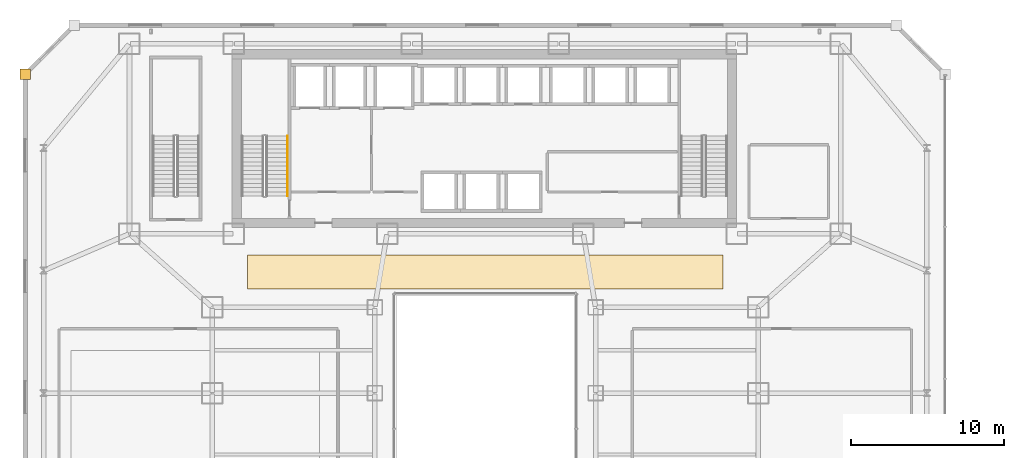
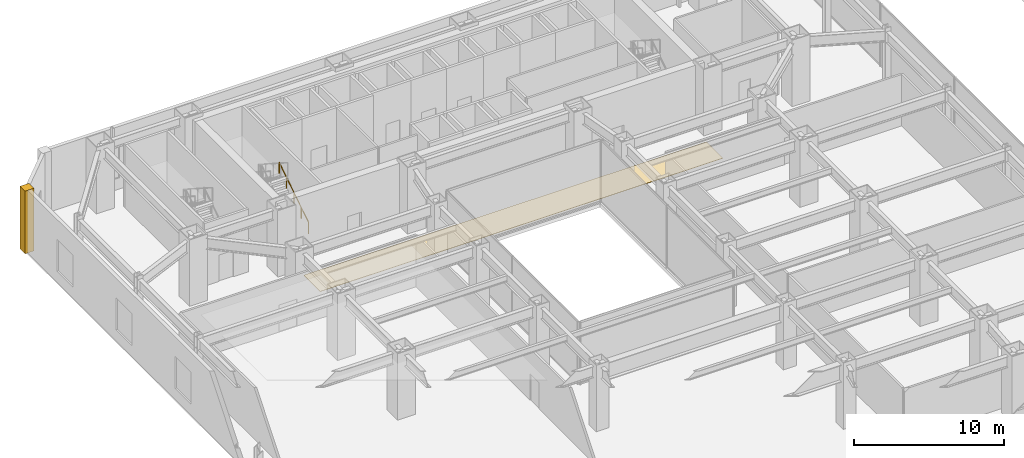
# One storey, part 46 of 51: 2 coverings, 1 railing.
"""IFC4 building model written with IfcOpenShell, lengths in metres."""

from ifc_helpers import new_model, si_unit, direction, frame, origin, origin_2d, place, context, subcontext, project, spatial, polyline, circle, outline, extrude, material, layer, layer_set, type_object, element, save


model = new_model("IFC4")

# Units and contexts
model_context = context("Model", 3, precision=1e-05, world=origin(), true_north=direction((0.0, 1.0)))
body_context = subcontext(model_context, "Body", "Model", "MODEL_VIEW")
ifc_project = project(units=[si_unit("LENGTHUNIT", "METRE"), si_unit("AREAUNIT", "SQUARE_METRE"), si_unit("VOLUMEUNIT", "CUBIC_METRE"), si_unit("PLANEANGLEUNIT", "RADIAN"), si_unit("MASSUNIT", "GRAM", prefix="KILO")], contexts=[model_context])

# Site, building, storey
site_placement = place(None, origin())
site = spatial("IfcSite", under=ifc_project, at=site_placement, CompositionType="ELEMENT")
building_placement = place(site_placement, origin())
building = spatial("IfcBuilding", under=site, at=building_placement, Name="Saevonmaru Cultural Tower", CompositionType="ELEMENT")
storey_placement = place(building_placement, frame((0.0, 0.0, 6.0)))
storey = spatial("IfcBuildingStorey", under=building, at=storey_placement, Name="L01", CompositionType="ELEMENT", Elevation=6.0)

# Coverings
ifc_material_1 = material(Name="Satin Bronze Anodised Aluminium", Category="aluminium")
ifc_layer_1 = layer(ifc_material_1, 0.679931640625, Name="Satin Bronze Anodised Aluminium")
ifc_layer_set_1 = layer_set([ifc_layer_1], Name="Satin Bronze Anodised Aluminium")
covering_type_1 = type_object("IfcCoveringType", Name="CV-CORNER-CLAD", PredefinedType="CLADDING", material=ifc_layer_set_1)
covering_1_placement = place(storey_placement, origin())
element("IfcCovering", 1, at=covering_1_placement, inside=storey, type_object=covering_type_1, Name="L01 Podium Bronze Corner Cladding Pier 8", PredefinedType="CLADDING", context=body_context, shape_type="SweptSolid", body=[
    extrude(outline(polyline([(-0.340087890625, 52.4599609375), (0.340087890625, 52.4599609375), (0.340087890625, 53.139892578125), (-0.340087890625, 53.139892578125), (-0.340087890625, 52.4599609375)])), origin(), (0.0, 0.0, 1.0), 5.10009765625),
])
ifc_material_2 = material(Name="Honed Granite Terrazzo", Category="masonry")
ifc_layer_2 = layer(ifc_material_2, 0.030029296875, Name="Honed Granite Terrazzo")
ifc_layer_set_2 = layer_set([ifc_layer_2], Name="Honed Granite Terrazzo")
covering_type_2 = type_object("IfcCoveringType", Name="CV-FLR-TERRAZZO", PredefinedType="FLOORING", material=ifc_layer_set_2)
covering_2_placement = place(storey_placement, origin())
element("IfcCovering", 2, at=covering_2_placement, inside=storey, type_object=covering_type_2, Name="L01 Foyer Granite Terrazzo Flooring", PredefinedType="FLOORING", context=body_context, shape_type="SweptSolid", body=[
    extrude(outline(polyline([(14.5, 38.800048828125), (45.5, 38.800048828125), (45.5, 41.0), (14.5, 41.0), (14.5, 38.800048828125)])), origin(), (0.0, 0.0, 1.0), 0.030029296875),
])

# Railing
railing_type = type_object("IfcRailingType", Name="RL-STAIR-HANDRAIL", PredefinedType="HANDRAIL", material=ifc_material_1)
railing_placement = place(storey_placement, frame((17.10009765625, 44.85009765625, 0.179931640625)))
element("IfcRailing", 3, at=railing_placement, inside=storey, type_object=railing_type, Name="L01 ST-1 stair handrail 1", PredefinedType="HANDRAIL", context=body_context, shape_type="SweptSolid", body=[
    extrude(circle(Radius=0.02392578125, at=origin_2d()), frame((0.0, 0.0, 0.8759765625), z_axis=(0.0, 0.841171666519, 0.540768182723), x_axis=(-1.0, 0.0, 0.0)), (0.0, 0.0, 1.0), 4.66015625),
    extrude(circle(Radius=0.02099609375, at=origin_2d()), origin(), (0.0, 0.0, 1.0), 0.851806640625),
    extrude(circle(Radius=0.02099609375, at=origin_2d()), frame((0.0, 0.97998046875, 0.6298828125)), (0.0, 0.0, 1.0), 0.851806640625),
    extrude(circle(Radius=0.02099609375, at=origin_2d()), frame((0.0, 1.9599609375, 1.260009765625)), (0.0, 0.0, 1.0), 0.851806640625),
    extrude(circle(Radius=0.02099609375, at=origin_2d()), frame((0.0, 2.93994140625, 1.89013671875)), (0.0, 0.0, 1.0), 0.851806640625),
    extrude(circle(Radius=0.02099609375, at=origin_2d()), frame((0.0, 3.919921875, 2.52001953125)), (0.0, 0.0, 1.0), 0.851806640625),
])

save(model, "model.ifc")
